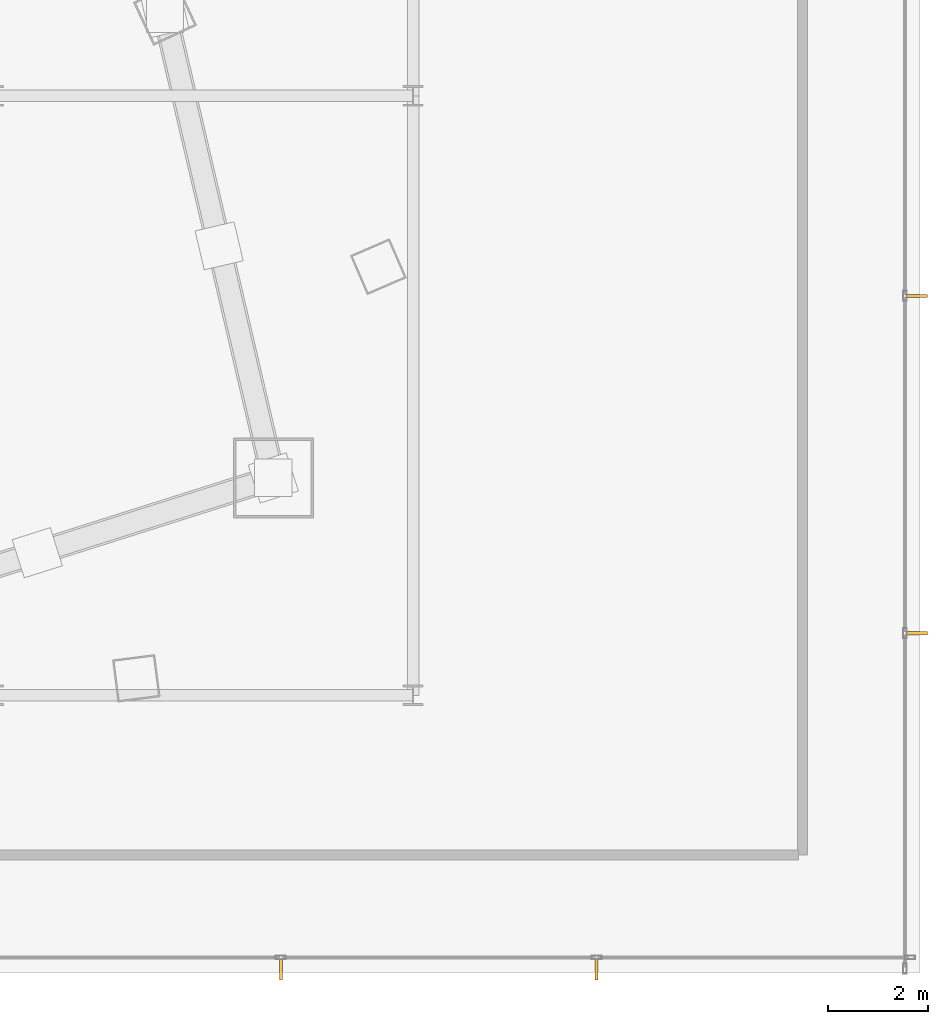
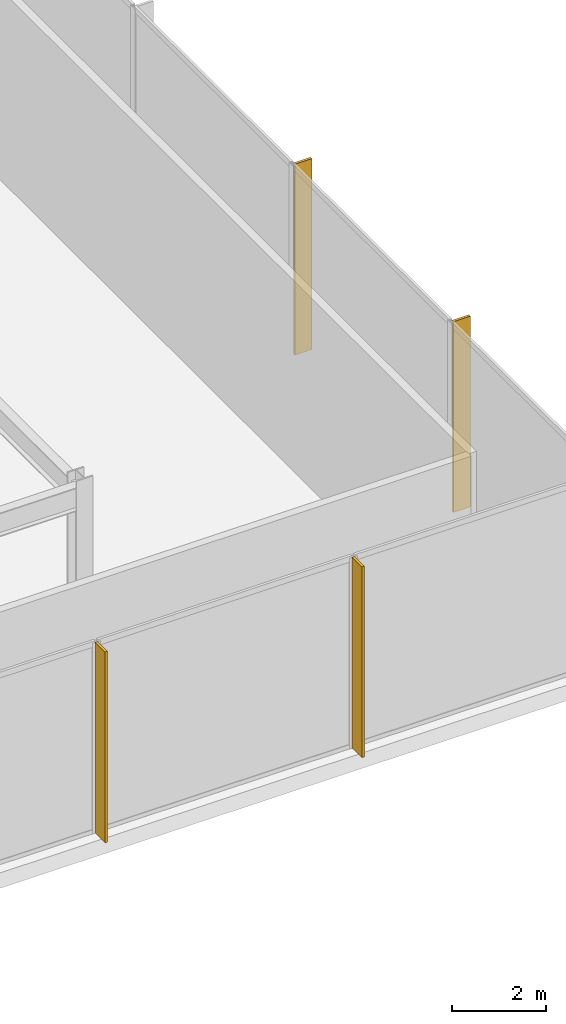
# One storey, part 39 of 43: 4 shading devices.
"""IFC4 building model written with IfcOpenShell, lengths in metres."""

from ifc_helpers import new_model, si_unit, direction, frame, origin, origin_2d, place, context, subcontext, project, spatial, rectangle, extrude, material, layer, layer_set, type_object, element, save


model = new_model("IFC4")

# Units and contexts
model_context = context("Model", 3, precision=1e-05, world=origin(), true_north=direction((0.0, 1.0)))
body_context = subcontext(model_context, "Body", "Model", "MODEL_VIEW")
ifc_project = project(units=[si_unit("LENGTHUNIT", "METRE"), si_unit("AREAUNIT", "SQUARE_METRE"), si_unit("VOLUMEUNIT", "CUBIC_METRE"), si_unit("PLANEANGLEUNIT", "RADIAN"), si_unit("MASSUNIT", "GRAM", prefix="KILO")], contexts=[model_context])

# Site, building, storey
site_placement = place(None, origin())
site = spatial("IfcSite", under=ifc_project, at=site_placement, CompositionType="ELEMENT")
building_placement = place(site_placement, origin())
building = spatial("IfcBuilding", under=site, at=building_placement, Name="Orvanel Arch Residences", CompositionType="ELEMENT")
storey_placement = place(building_placement, frame((0.0, 0.0, 18.39990234375)))
storey = spatial("IfcBuildingStorey", under=building, at=storey_placement, Name="L04", CompositionType="ELEMENT", Elevation=18.39990234375)

# Shading devices
ifc_material = material(Name="Bronze-anodised aluminium AA6063-T6", Category="aluminium")
ifc_layer = layer(ifc_material, 0.06494140625)
ifc_layer_set = layer_set([ifc_layer], Name="Bronze-anodised aluminium AA6063-T6")
shading_device_type = type_object("IfcShadingDeviceType", Name="FIN-BRZ-420", PredefinedType="USERDEFINED", material=ifc_layer_set)
for number, where, z_axis, x_axis, name in (
    (1, (51.9541015625, 0.510009765625, 0.0), (0.0, 0.0, 1.0), (0.0, -1.0, 0.0), "L04 Anodised Bronze Mullion FIN 08"),
    (2, (58.27197265625, 0.510009765625, 0.0), (0.0, 0.0, 1.0), (0.0, -1.0, 0.0), "L04 Anodised Bronze Mullion FIN 09"),
    (3, (64.68994140625, 7.241943359375, 0.0), (0.0, 0.0, 1.0), (1.0, 0.0, 0.0), "L04 Anodised Bronze Mullion FIN 01"),
    (4, (64.68994140625, 13.9951171875, 0.0), (0.0, 0.0, 1.0), (1.0, 0.0, 0.0), "L04 Anodised Bronze Mullion FIN 02"),
):
    element("IfcShadingDevice", number, at=place(storey_placement, frame(where, z_axis=z_axis, x_axis=x_axis)), inside=storey, type_object=shading_device_type, Name=name, ObjectType="FIN", PredefinedType="USERDEFINED", context=body_context, shape_type="SweptSolid", body=[
        extrude(rectangle(XDim=0.419921875, YDim=0.06494140625, at=origin_2d()), origin(), (0.0, 0.0, 1.0), 4.9599609375),
    ])

save(model, "model.ifc")
